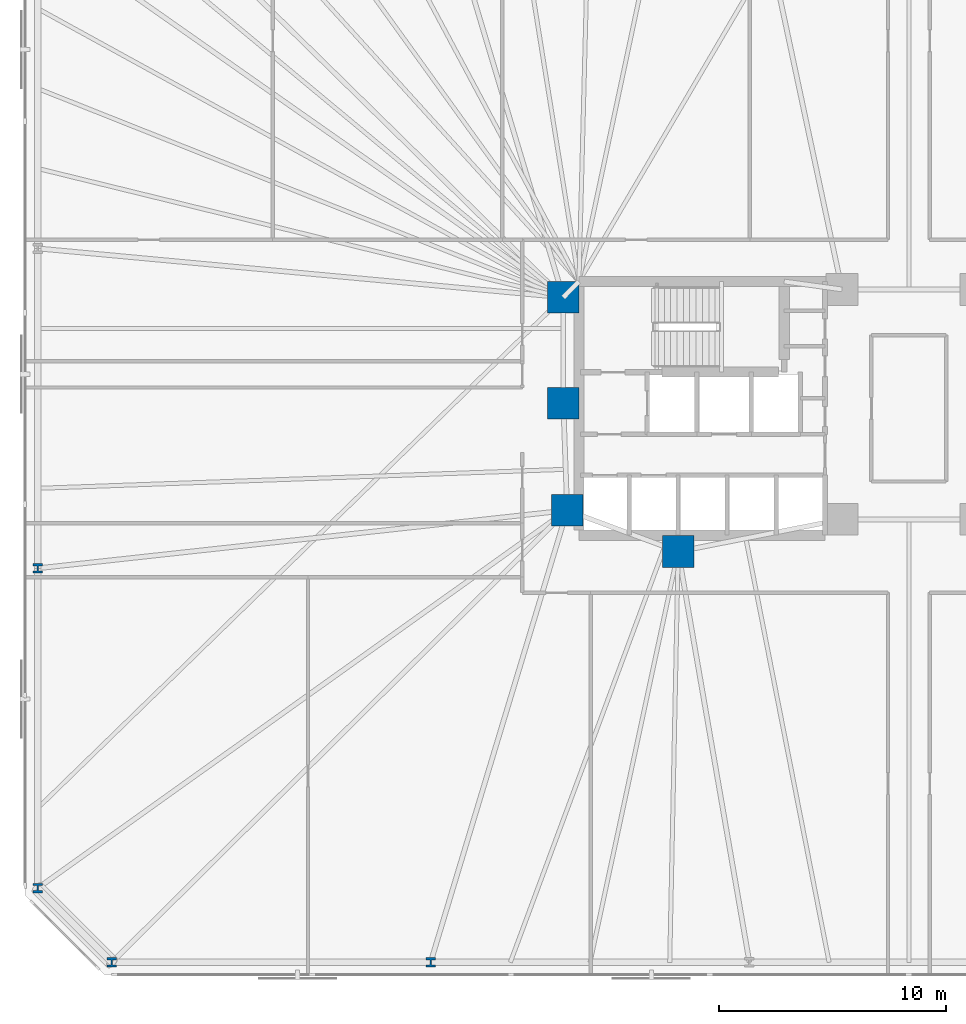
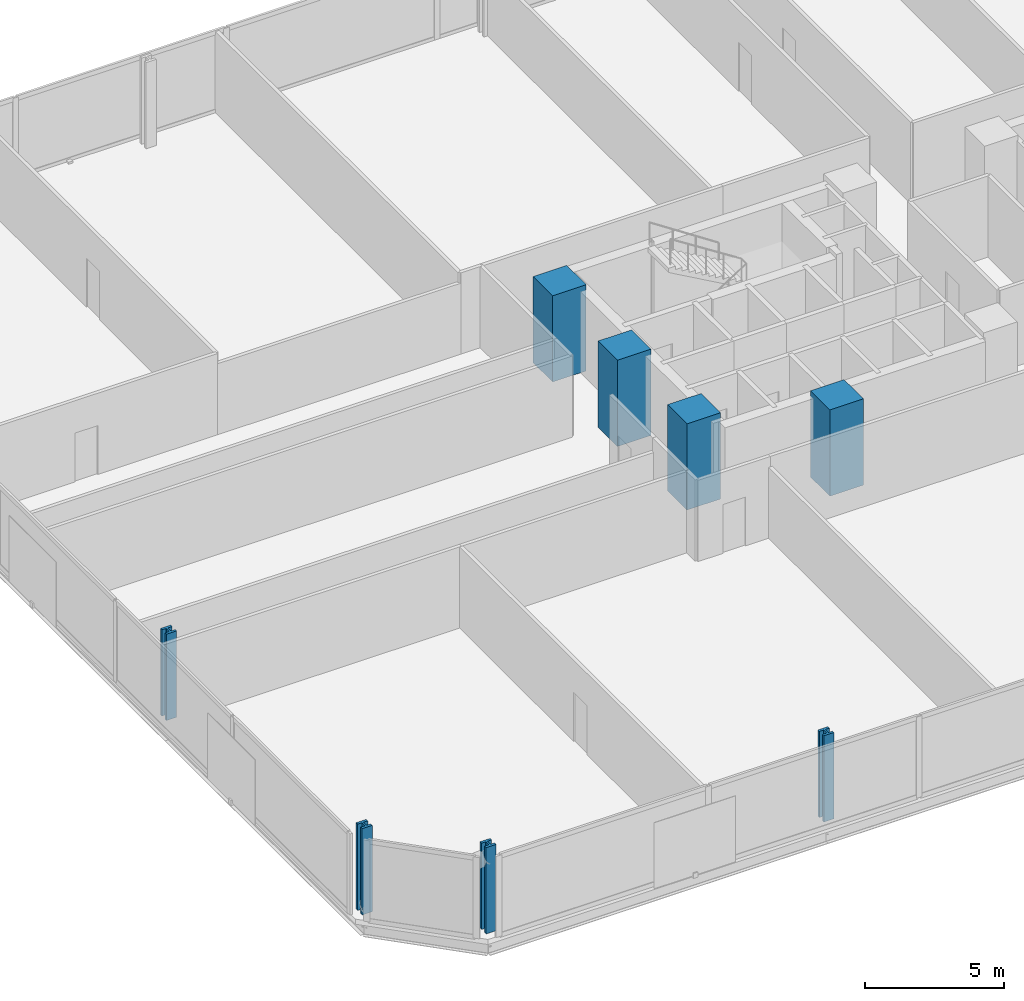
# One storey, part 1 of 17: 8 columns.
"""IFC4 building model written with IfcOpenShell, lengths in metres."""

from ifc_helpers import new_model, si_unit, direction, frame, origin, origin_2d, place, context, subcontext, project, spatial, rectangle, i_section, extrude, material, material_profile, profile_set, type_object, element, save


model = new_model("IFC4")

# Units and contexts
model_context = context("Model", 3, precision=1e-05, world=origin(), true_north=direction((0.0, 1.0)))
body_context = subcontext(model_context, "Body", "Model", "MODEL_VIEW")
ifc_project = project(units=[si_unit("LENGTHUNIT", "METRE"), si_unit("AREAUNIT", "SQUARE_METRE"), si_unit("VOLUMEUNIT", "CUBIC_METRE"), si_unit("PLANEANGLEUNIT", "RADIAN"), si_unit("MASSUNIT", "GRAM", prefix="KILO")], contexts=[model_context])

# Site, building, storey
site_placement = place(None, origin())
site = spatial("IfcSite", under=ifc_project, at=site_placement, CompositionType="ELEMENT")
building_placement = place(site_placement, origin())
building = spatial("IfcBuilding", under=site, at=building_placement, Name="Menara Jurai Vektor", CompositionType="ELEMENT")
storey_placement = place(building_placement, frame((0.0, 0.0, 52.199951171875)))
storey = spatial("IfcBuildingStorey", under=building, at=storey_placement, Name="L12", CompositionType="ELEMENT", Elevation=52.199951171875)

# Columns
ifc_material_1 = material(Name="Concrete C60/75", Category="concrete")
ifc_material_profile_1 = material_profile(ifc_material_1, rectangle(XDim=1.39990234375, YDim=1.39990234375, at=origin_2d()), Name="RC 1400x1400")
ifc_profile_set_1 = profile_set([ifc_material_profile_1], Name="Concrete C60/75")
column_type_1 = type_object("IfcColumnType", Name="STR-COL-RC1400", PredefinedType="COLUMN", material=ifc_profile_set_1)
for number, where, z_axis, x_axis, name in (
    (1, (-15.25, 4.89990234375, 0.0), (0.0, 0.0, 1.0), (1.0, 0.0, 0.0), "Core Spine Column CW-NW L12"),
    (2, (-15.25, 0.219970703125, 0.0), (0.0, 0.0, 1.0), (1.0, 0.0, 0.0), "Core Spine Column CW-WM L12"),
    (3, (-15.080078125, -4.5, 0.0), (0.0, 0.0, 1.0), (1.0, 0.0, 0.0), "Core Spine Column CW-SW L12"),
    (4, (-10.179931640625, -6.320068359375, 0.0), (0.0, 0.0, 1.0), (1.0, 0.0, 0.0), "Core Spine Column CW-SM L12"),
):
    element("IfcColumn", number, at=place(storey_placement, frame(where, z_axis=z_axis, x_axis=x_axis)), inside=storey, type_object=column_type_1, Name=name, PredefinedType="COLUMN", context=body_context, shape_type="SweptSolid", body=[
        extrude(rectangle(XDim=1.39990234375, YDim=1.39990234375, at=origin_2d()), origin(), (0.0, 0.0, 1.0), 3.800048828125),
    ])
ifc_material_2 = material(Name="Steel S460", Category="steel")
ifc_material_profile_2 = material_profile(ifc_material_2, i_section(OverallWidth=0.419921875, OverallDepth=0.430908203125, WebThickness=0.06494140625, FlangeThickness=0.10595703125, FilletRadius=0.014892578125, at=origin_2d()), Name="HD 400x900")
ifc_profile_set_2 = profile_set([ifc_material_profile_2], Name="Steel S460")
column_type_2 = type_object("IfcColumnType", Name="STR-EXO-BLK1", PredefinedType="COLUMN", material=ifc_profile_set_2)
for number, where, z_axis, x_axis, name in (
    (5, (-35.177734375, -24.449951171875, 0.0), (0.0, 0.0, 1.0), (1.0, 0.0, 0.0), "Exoskeleton Column BLK1-S1 L12"),
    (6, (-21.106689453125, -24.449951171875, 0.0), (0.0, 0.0, 1.0), (1.0, 0.0, 0.0), "Exoskeleton Column BLK1-S2 L12"),
    (7, (-38.449951171875, -7.059326171875, 0.0), (0.0, 0.0, 1.0), (1.0, 0.0, 0.0), "Exoskeleton Column BLK1-W3 L12"),
    (8, (-38.449951171875, -21.177734375, 0.0), (0.0, 0.0, 1.0), (1.0, 0.0, 0.0), "Exoskeleton Column BLK1-W4 L12"),
):
    element("IfcColumn", number, at=place(storey_placement, frame(where, z_axis=z_axis, x_axis=x_axis)), inside=storey, type_object=column_type_2, Name=name, PredefinedType="COLUMN", context=body_context, shape_type="SweptSolid", body=[
        extrude(i_section(OverallWidth=0.419921875, OverallDepth=0.430908203125, WebThickness=0.06494140625, FlangeThickness=0.10595703125, FilletRadius=0.014892578125, at=origin_2d()), origin(), (0.0, 0.0, 1.0), 3.800048828125),
    ])

save(model, "model.ifc")
